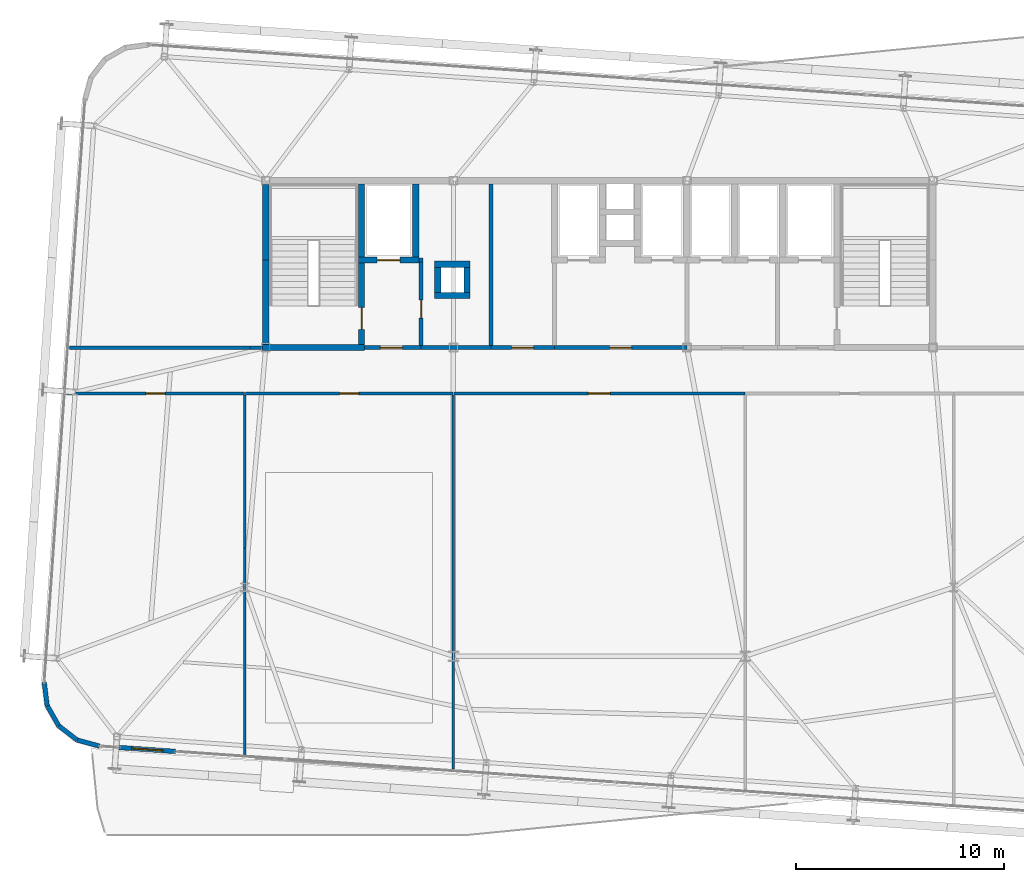
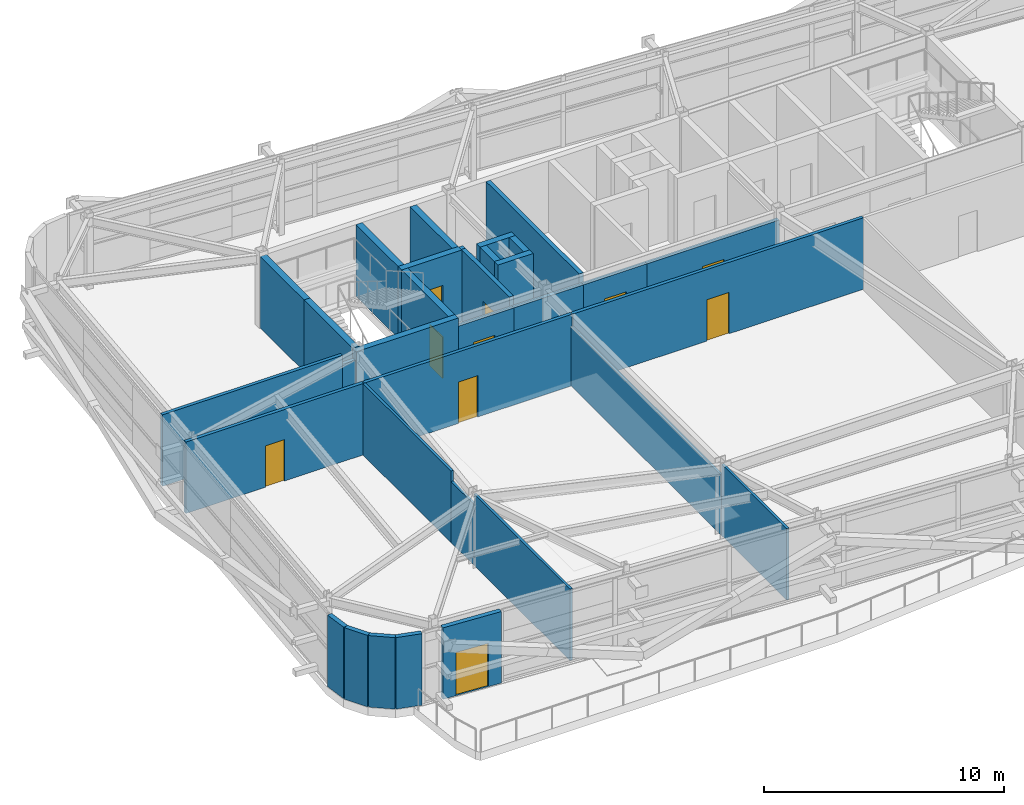
# One storey, part 31 of 36: 33 walls, 10 doors, 10 openings.
"""IFC4 building model written with IfcOpenShell, lengths in metres."""

from ifc_helpers import new_model, si_unit, direction, frame, frame_2d, origin, place, context, subcontext, project, spatial, rectangle, extrude, source, transform, mapped, material, layer, layer_set, type_object, element, fill, save


model = new_model("IFC4")

# Units and contexts
model_context = context("Model", 3, precision=1e-05, world=origin(), true_north=direction((0.0, 1.0)))
body_context = subcontext(model_context, "Body", "Model", "MODEL_VIEW")
ifc_project = project(units=[si_unit("LENGTHUNIT", "METRE"), si_unit("AREAUNIT", "SQUARE_METRE"), si_unit("VOLUMEUNIT", "CUBIC_METRE"), si_unit("PLANEANGLEUNIT", "RADIAN"), si_unit("MASSUNIT", "GRAM", prefix="KILO")], contexts=[model_context])

# Site, building, storey
site_placement = place(None, origin())
site = spatial("IfcSite", under=ifc_project, at=site_placement, CompositionType="ELEMENT")
building_placement = place(site_placement, origin())
building = spatial("IfcBuilding", under=site, at=building_placement, Name="Taldren Reach Tower", CompositionType="ELEMENT")
storey_placement = place(building_placement, frame((0.0, 0.0, 116.550048828125)))
storey = spatial("IfcBuildingStorey", under=building, at=storey_placement, Name="L35", CompositionType="ELEMENT", Elevation=116.550048828125)

# Walls
ifc_material_1 = material(Name="Pale Champagne Anodised Aluminium Cladding", Category="aluminium")
ifc_layer_1 = layer(ifc_material_1, 0.04, Name="Pale Champagne Anodised Aluminium Cladding", Category="aluminium")
ifc_material_2 = material(Name="Mineral Wool Acoustic Insulation", Category="insulation")
ifc_layer_2 = layer(ifc_material_2, 0.06, Name="Mineral Wool Acoustic Insulation", Category="insulation")
ifc_material_3 = material(Name="Steel Gr 350 (C350L0)", Category="steel")
ifc_layer_3 = layer(ifc_material_3, 0.12, Name="Steel Gr 350 (C350L0)", Category="steel")
ifc_layer_set_1 = layer_set([ifc_layer_1, ifc_layer_2, ifc_layer_3], Name="Pale Champagne Aluminium Cladding and Steel Gr 350 Stud Framing")
wall_type_1 = type_object("IfcWallType", Name="EW-CRN-220", PredefinedType="SOLIDWALL", material=ifc_layer_set_1)
shared_shape_1 = source(origin(), body_context, "Body", "SweptSolid", [
    extrude(rectangle(XDim=1.115966796875, YDim=0.219970703125, at=frame_2d((0.55810546875, 0.0))), origin(), (0.0, 0.0, 1.0), 3.6298828125),
])
for number, where, z_axis, x_axis, name in (
    (1, (8.37646484375, 7.93798828125, 0.0), (0.0, 0.0, 1.0), (0.126242535829, -0.991999406324, 0.0), "Rounded-corner pale-metal facade wall L35-SW1"),
    (2, (8.517333984375, 6.8310546875, 0.0), (0.0, 0.0, 1.0), (0.496138938357, -0.868243142124, 0.0), "Rounded-corner pale-metal facade wall L35-SW2"),
    (3, (9.071044921875, 5.862060546875, 0.0), (0.0, 0.0, 1.0), (0.790716874741, -0.612182018684, 0.0), "Rounded-corner pale-metal facade wall L35-SW3"),
    (4, (9.953369140625, 5.178955078125, 0.0), (0.0, 0.0, 1.0), (0.964804199372, -0.262969307856, 0.0), "Rounded-corner pale-metal facade wall L35-SW4"),
):
    element("IfcWall", number, at=place(storey_placement, frame(where, z_axis=z_axis, x_axis=x_axis)), inside=storey, type_object=wall_type_1, Name=name, PredefinedType="SOLIDWALL", context=body_context, shape_type="MappedRepresentation", body=[
        mapped(shared_shape_1, transform((0.0, 0.0, 0.0), scale=1.0)),
    ])

# Wall, opening, door
shared_shape_2 = source(origin(), body_context, "Body", "SweptSolid", [
    extrude(rectangle(XDim=2.7001953125, YDim=0.219970703125, at=frame_2d((1.35009765625, 0.0))), origin(), (0.0, 0.0, 1.0), 3.6298828125),
])
wall_1_placement = place(storey_placement, frame((11.9775390625, 4.819091796875, 0.0), z_axis=(0.0, 0.0, 1.0), x_axis=(0.997567210959, -0.069711258919, 0.0)))
wall_1 = element("IfcWall", 5, at=wall_1_placement, inside=storey, type_object=wall_type_1, Name="Terrace threshold facade wall L35-S1", PredefinedType="SOLIDWALL", context=body_context, shape_type="MappedRepresentation", body=[
    mapped(shared_shape_2, transform((0.0, 0.0, 0.0), scale=1.0)),
])
shared_shape_3 = source(origin(), body_context, "Body", "SweptSolid", [
    extrude(rectangle(XDim=1.5, YDim=2.199951171875, at=frame_2d((0.75, 1.10009765625))), frame((0.0, 0.1201171875, 0.0), z_axis=(0.0, -1.0, 0.0), x_axis=(1.0, 0.0, 0.0)), (0.0, 0.0, 1.0), 0.239990234375),
])
opening_1_placement = place(wall_1_placement, frame((0.60009765625, 0.0, 0.0)))
opening_1 = element("IfcOpeningElement", 6, at=opening_1_placement, cuts=wall_1, Name="Opening ED-150", PredefinedType="OPENING", context=body_context, shape_type="MappedRepresentation", body=[
    mapped(shared_shape_3, transform((0.0, 0.0, 0.0), scale=1.0)),
])
ifc_material_4 = material(Name="Weatherproof Glazed Terrace Door")
door_type_1 = type_object("IfcDoorType", Name="ED-TERR-1500", OperationType="DOUBLE_DOOR_SINGLE_SWING", PredefinedType="DOOR", material=ifc_material_4)
shared_shape_4 = source(origin(), body_context, "Body", "SweptSolid", [
    extrude(rectangle(XDim=1.5, YDim=2.199951171875, at=frame_2d((0.75, 1.10009765625))), frame((0.0, 0.02490234375, 0.0), z_axis=(0.0, -1.0, 0.0), x_axis=(1.0, 0.0, 0.0)), (0.0, 0.0, 1.0), 0.050048828125),
])
door_1_placement = place(opening_1_placement, frame((1.5, 0.0, 0.0), z_axis=(0.0, 0.0, 1.0), x_axis=(-1.0, 0.0, 0.0)))
door_1 = element("IfcDoor", 7, at=door_1_placement, inside=storey, type_object=door_type_1, Name="Setback terrace access door ED-TERR-L35-S1", OperationType="DOUBLE_DOOR_SINGLE_SWING", OverallHeight=2.199951171875, OverallWidth=1.5, PredefinedType="DOOR", context=body_context, shape_type="MappedRepresentation", body=[
    mapped(shared_shape_4, transform((0.0, 0.0, 0.0), scale=1.0)),
])
fill(opening_1, door_1)

# Walls
ifc_material_5 = material(Name="Concrete S65 (65 MPa)", Category="concrete")
ifc_layer_4 = layer(ifc_material_5, 0.300048828125)
ifc_layer_set_2 = layer_set([ifc_layer_4], Name="Concrete S65 (65 MPa)")
wall_type_2 = type_object("IfcWallType", Name="IW-CORE-300", PredefinedType="SHEAR", material=ifc_layer_set_2)
shared_shape_5 = source(origin(), body_context, "Body", "SweptSolid", [
    extrude(rectangle(XDim=4.050048828125, YDim=0.300048828125, at=frame_2d((2.02490234375, 0.0))), origin(), (0.0, 0.0, 1.0), 3.6298828125),
])
wall_2_placement = place(storey_placement, frame((19.0, 24.14990234375, 0.0), z_axis=(0.0, 0.0, 1.0), x_axis=(0.0, 1.0, 0.0)))
element("IfcWall", 8, at=wall_2_placement, inside=storey, type_object=wall_type_2, Name="Rear Core Shear Wall W-CORE-L35-WEST1", PredefinedType="SHEAR", context=body_context, shape_type="MappedRepresentation", body=[
    mapped(shared_shape_5, transform((0.0, 0.0, 0.0), scale=1.0)),
])
shared_shape_6 = source(origin(), body_context, "Body", "SweptSolid", [
    extrude(rectangle(XDim=3.650146484375, YDim=0.300048828125, at=frame_2d((1.8251953125, 0.0))), origin(), (0.0, 0.0, 1.0), 3.6298828125),
])
wall_3_placement = place(storey_placement, frame((19.0, 28.199951171875, 0.0), z_axis=(0.0, 0.0, 1.0), x_axis=(0.0, 1.0, 0.0)))
element("IfcWall", 9, at=wall_3_placement, inside=storey, type_object=wall_type_2, Name="Rear Core Shear Wall W-CORE-L35-WEST2", PredefinedType="SHEAR", context=body_context, shape_type="MappedRepresentation", body=[
    mapped(shared_shape_6, transform((0.0, 0.0, 0.0), scale=1.0)),
])
shared_shape_7 = source(origin(), body_context, "Body", "SweptSolid", [
    extrude(rectangle(XDim=3.5, YDim=0.300048828125, at=frame_2d((1.75, 0.0))), origin(), (0.0, 0.0, 1.0), 3.6298828125),
])
for number, where, z_axis, x_axis, name in (
    (10, (23.60009765625, 28.35009765625, 0.0), (0.0, 0.0, 1.0), (0.0, 1.0, 0.0), "Rear Core Shear Wall W-INT-L35-001"),
    (11, (26.199951171875, 28.35009765625, 0.0), (0.0, 0.0, 1.0), (0.0, 1.0, 0.0), "Rear Core Shear Wall W-INT-L35-005"),
):
    element("IfcWall", number, at=place(storey_placement, frame(where, z_axis=z_axis, x_axis=x_axis)), inside=storey, type_object=wall_type_2, Name=name, PredefinedType="SHEAR", context=body_context, shape_type="MappedRepresentation", body=[
        mapped(shared_shape_7, transform((0.0, 0.0, 0.0), scale=1.0)),
    ])

# Wall, opening, door
shared_shape_8 = source(origin(), body_context, "Body", "SweptSolid", [
    extrude(rectangle(XDim=3.900146484375, YDim=0.300048828125, at=frame_2d((1.9501953125, 0.0))), origin(), (0.0, 0.0, 1.0), 3.6298828125),
])
wall_4_placement = place(storey_placement, frame((23.60009765625, 24.14990234375, 0.0), z_axis=(0.0, 0.0, 1.0), x_axis=(0.0, 1.0, 0.0)))
wall_4 = element("IfcWall", 12, at=wall_4_placement, inside=storey, type_object=wall_type_2, Name="Rear Core Shear Wall W-INT-L35-002", PredefinedType="SHEAR", context=body_context, shape_type="MappedRepresentation", body=[
    mapped(shared_shape_8, transform((0.0, 0.0, 0.0), scale=1.0)),
])
shared_shape_9 = source(origin(), body_context, "Body", "SweptSolid", [
    extrude(rectangle(XDim=1.050048828125, YDim=2.10009765625, at=frame_2d((0.52490234375, 1.050048828125))), frame((0.0, 0.16015625, 0.0), z_axis=(0.0, -1.0, 0.0), x_axis=(1.0, 0.0, 0.0)), (0.0, 0.0, 1.0), 0.320068359375),
])
opening_2_placement = place(wall_4_placement, frame((0.72509765625, 0.0, 0.0)))
opening_2 = element("IfcOpeningElement", 13, at=opening_2_placement, cuts=wall_4, Name="Opening DF-105", PredefinedType="OPENING", context=body_context, shape_type="MappedRepresentation", body=[
    mapped(shared_shape_9, transform((0.0, 0.0, 0.0), scale=1.0)),
])
ifc_material_6 = material(Name="Fire-Rated Care and Stair Exit Door")
door_type_2 = type_object("IfcDoorType", Name="ID-FIRE-105", OperationType="NOTDEFINED", PredefinedType="DOOR", material=ifc_material_6)
shared_shape_10 = source(origin(), body_context, "Body", "SweptSolid", [
    extrude(rectangle(XDim=1.050048828125, YDim=2.10009765625, at=frame_2d((0.52490234375, 1.050048828125))), frame((0.0, 0.02490234375, 0.0), z_axis=(0.0, -1.0, 0.0), x_axis=(1.0, 0.0, 0.0)), (0.0, 0.0, 1.0), 0.050048828125),
])
door_2_placement = place(opening_2_placement, origin())
door_2 = element("IfcDoor", 14, at=door_2_placement, inside=storey, type_object=door_type_2, Name="Fire Exit Stair Door DR-L35-001", OperationType="SINGLE_SWING_LEFT", OverallHeight=2.10009765625, OverallWidth=1.050048828125, PredefinedType="DOOR", context=body_context, shape_type="MappedRepresentation", body=[
    mapped(shared_shape_10, transform((0.0, 0.0, 0.0), scale=1.0)),
])
fill(opening_2, door_2)

# Wall
shared_shape_11 = source(origin(), body_context, "Body", "SweptSolid", [
    extrude(rectangle(XDim=4.89990234375, YDim=0.300048828125, at=frame_2d((2.449951171875, 0.0))), origin(), (0.0, 0.0, 1.0), 3.6298828125),
])
wall_5_placement = place(storey_placement, frame((18.85009765625, 24.0, 0.0), z_axis=(0.0, 0.0, 1.0), x_axis=(1.0, 0.0, 0.0)))
element("IfcWall", 15, at=wall_5_placement, inside=storey, type_object=wall_type_2, Name="Rear Core Shear Wall W-INT-L35-003", PredefinedType="SHEAR", context=body_context, shape_type="MappedRepresentation", body=[
    mapped(shared_shape_11, transform((0.0, 0.0, 0.0), scale=1.0)),
])

# Wall, opening, door
shared_shape_12 = source(origin(), body_context, "Body", "SweptSolid", [
    extrude(rectangle(XDim=2.900146484375, YDim=0.300048828125, at=frame_2d((1.4501953125, 0.0))), origin(), (0.0, 0.0, 1.0), 3.6298828125),
])
wall_6_placement = place(storey_placement, frame((23.449951171875, 28.199951171875, 0.0), z_axis=(0.0, 0.0, 1.0), x_axis=(1.0, 0.0, 0.0)))
wall_6 = element("IfcWall", 16, at=wall_6_placement, inside=storey, type_object=wall_type_2, Name="Rear Core Shear Wall W-INT-L35-004", PredefinedType="SHEAR", context=body_context, shape_type="MappedRepresentation", body=[
    mapped(shared_shape_12, transform((0.0, 0.0, 0.0), scale=1.0)),
])
shared_shape_13 = source(origin(), body_context, "Body", "SweptSolid", [
    extrude(rectangle(XDim=1.10009765625, YDim=2.14990234375, at=frame_2d((0.550048828125, 1.074951171875))), frame((0.0, 0.16015625, 0.0), z_axis=(0.0, -1.0, 0.0), x_axis=(1.0, 0.0, 0.0)), (0.0, 0.0, 1.0), 0.320068359375),
])
opening_3_placement = place(wall_6_placement, frame((0.89990234375, 0.0, 0.0)))
opening_3 = element("IfcOpeningElement", 17, at=opening_3_placement, cuts=wall_6, Name="Opening LD-FL1", PredefinedType="OPENING", context=body_context, shape_type="MappedRepresentation", body=[
    mapped(shared_shape_13, transform((0.0, 0.0, 0.0), scale=1.0)),
])
ifc_material_7 = material(Name="Stainless Steel Gr 316 Emergency Lift Landing Door", Category="steel")
door_type_3 = type_object("IfcDoorType", Name="LD-EMG-110", OperationType="SLIDING_TO_LEFT", PredefinedType="DOOR", material=ifc_material_7)
shared_shape_14 = source(origin(), body_context, "Body", "SweptSolid", [
    extrude(rectangle(XDim=1.10009765625, YDim=2.14990234375, at=frame_2d((0.550048828125, 1.074951171875))), frame((0.0, 0.02490234375, 0.0), z_axis=(0.0, -1.0, 0.0), x_axis=(1.0, 0.0, 0.0)), (0.0, 0.0, 1.0), 0.050048828125),
])
door_3_placement = place(opening_3_placement, origin())
door_3 = element("IfcDoor", 18, at=door_3_placement, inside=storey, type_object=door_type_3, Name="Lift Landing Door LD-FL1-L35", OperationType="SLIDING_TO_LEFT", OverallHeight=2.14990234375, OverallWidth=1.10009765625, PredefinedType="DOOR", context=body_context, shape_type="MappedRepresentation", body=[
    mapped(shared_shape_14, transform((0.0, 0.0, 0.0), scale=1.0)),
])
fill(opening_3, door_3)

ifc_material_8 = material(Name="Concrete S50 (50 MPa)", Category="concrete")
ifc_layer_5 = layer(ifc_material_8, 0.199951171875)
ifc_layer_set_3 = layer_set([ifc_layer_5], Name="Concrete S50 (50 MPa)")
wall_type_3 = type_object("IfcWallType", Name="IW-CORE-200", PredefinedType="SOLIDWALL", material=ifc_layer_set_3)
shared_shape_15 = source(origin(), body_context, "Body", "SweptSolid", [
    extrude(rectangle(XDim=4.0, YDim=0.199951171875, at=frame_2d((2.0, 0.0))), origin(), (0.0, 0.0, 1.0), 3.6298828125),
])
wall_7_placement = place(storey_placement, frame((26.449951171875, 24.10009765625, 0.0), z_axis=(0.0, 0.0, 1.0), x_axis=(0.0, 1.0, 0.0)))
wall_7 = element("IfcWall", 19, at=wall_7_placement, inside=storey, type_object=wall_type_3, Name="Rear Core Shear Wall W-INT-L35-006", PredefinedType="SOLIDWALL", context=body_context, shape_type="MappedRepresentation", body=[
    mapped(shared_shape_15, transform((0.0, 0.0, 0.0), scale=1.0)),
])
shared_shape_16 = source(origin(), body_context, "Body", "SweptSolid", [
    extrude(rectangle(XDim=0.860107421875, YDim=2.10009765625, at=frame_2d((0.43017578125, 1.050048828125))), frame((0.0, 0.10986328125, 0.0), z_axis=(0.0, -1.0, 0.0), x_axis=(1.0, 0.0, 0.0)), (0.0, 0.0, 1.0), 0.219970703125),
])
opening_4_placement = place(wall_7_placement, frame((1.320068359375, 0.0, 0.0)))
opening_4 = element("IfcOpeningElement", 20, at=opening_4_placement, cuts=wall_7, Name="Opening DI-086", PredefinedType="OPENING", context=body_context, shape_type="MappedRepresentation", body=[
    mapped(shared_shape_16, transform((0.0, 0.0, 0.0), scale=1.0)),
])
ifc_material_9 = material(Name="Timber Bathroom Door", Category="wood")
door_type_4 = type_object("IfcDoorType", Name="ID-INT-086", OperationType="NOTDEFINED", PredefinedType="DOOR", material=ifc_material_9)
shared_shape_17 = source(origin(), body_context, "Body", "SweptSolid", [
    extrude(rectangle(XDim=0.860107421875, YDim=2.10009765625, at=frame_2d((0.43017578125, 1.050048828125))), frame((0.0, 0.02490234375, 0.0), z_axis=(0.0, -1.0, 0.0), x_axis=(1.0, 0.0, 0.0)), (0.0, 0.0, 1.0), 0.050048828125),
])
door_4_placement = place(opening_4_placement, frame((0.860107421875, 0.0, 0.0), z_axis=(0.0, 0.0, 1.0), x_axis=(-1.0, 0.0, 0.0)))
door_4 = element("IfcDoor", 21, at=door_4_placement, inside=storey, type_object=door_type_4, Name="Interior Door DR-L35-014", OperationType="SINGLE_SWING_RIGHT", OverallHeight=2.10009765625, OverallWidth=0.860107421875, PredefinedType="DOOR", context=body_context, shape_type="MappedRepresentation", body=[
    mapped(shared_shape_17, transform((0.0, 0.0, 0.0), scale=1.0)),
])
fill(opening_4, door_4)

shared_shape_18 = source(origin(), body_context, "Body", "SweptSolid", [
    extrude(rectangle(XDim=2.699951171875, YDim=0.199951171875, at=frame_2d((1.35009765625, 0.0))), origin(), (0.0, 0.0, 1.0), 3.169921875),
])
wall_8_placement = place(storey_placement, frame((23.75, 24.0, 0.0), z_axis=(0.0, 0.0, 1.0), x_axis=(1.0, 0.0, 0.0)))
wall_8 = element("IfcWall", 22, at=wall_8_placement, inside=storey, type_object=wall_type_3, Name="Rear Core Shear Wall W-INT-L35-007", PredefinedType="SOLIDWALL", context=body_context, shape_type="MappedRepresentation", body=[
    mapped(shared_shape_18, transform((0.0, 0.0, 0.0), scale=1.0)),
])
shared_shape_19 = source(origin(), body_context, "Body", "SweptSolid", [
    extrude(rectangle(XDim=1.050048828125, YDim=2.10009765625, at=frame_2d((0.52490234375, 1.050048828125))), frame((0.0, 0.10986328125, 0.0), z_axis=(0.0, -1.0, 0.0), x_axis=(1.0, 0.0, 0.0)), (0.0, 0.0, 1.0), 0.219970703125),
])
opening_5_placement = place(wall_8_placement, frame((0.75, 0.0, 0.0)))
opening_5 = element("IfcOpeningElement", 23, at=opening_5_placement, cuts=wall_8, Name="Opening DF-105", PredefinedType="OPENING", context=body_context, shape_type="MappedRepresentation", body=[
    mapped(shared_shape_19, transform((0.0, 0.0, 0.0), scale=1.0)),
])
door_5_placement = place(opening_5_placement, origin())
door_5 = element("IfcDoor", 24, at=door_5_placement, inside=storey, type_object=door_type_2, Name="Interior Door DR-L35-002", OperationType="SINGLE_SWING_LEFT", OverallHeight=2.10009765625, OverallWidth=1.050048828125, PredefinedType="DOOR", context=body_context, shape_type="MappedRepresentation", body=[
    mapped(shared_shape_10, transform((0.0, 0.0, 0.0), scale=1.0)),
])
fill(opening_5, door_5)

# Walls
shared_shape_20 = source(origin(), body_context, "Body", "SweptSolid", [
    extrude(rectangle(XDim=1.2001953125, YDim=0.300048828125, at=frame_2d((0.60009765625, 0.0))), origin(), (0.0, 0.0, 1.0), 3.6298828125),
])
for number, where, z_axis, x_axis, name in (
    (25, (28.64990234375, 26.64990234375, 0.0), (0.0, 0.0, 1.0), (0.0, 1.0, 0.0), "Rear Core Shear Wall W-INT-L35-021"),
    (26, (27.25, 27.85009765625, 0.0), (0.0, 0.0, 1.0), (0.0, -1.0, 0.0), "Rear Core Shear Wall W-INT-L35-022"),
):
    element("IfcWall", number, at=place(storey_placement, frame(where, z_axis=z_axis, x_axis=x_axis)), inside=storey, type_object=wall_type_2, Name=name, PredefinedType="SHEAR", context=body_context, shape_type="MappedRepresentation", body=[
        mapped(shared_shape_20, transform((0.0, 0.0, 0.0), scale=1.0)),
    ])
shared_shape_21 = source(origin(), body_context, "Body", "SweptSolid", [
    extrude(rectangle(XDim=1.699951171875, YDim=0.300048828125, at=frame_2d((0.85009765625, 0.0))), origin(), (0.0, 0.0, 1.0), 3.6298828125),
])
for number, where, z_axis, x_axis, name in (
    (27, (28.800048828125, 28.0, 0.0), (0.0, 0.0, 1.0), (-1.0, 0.0, 0.0), "Rear Core Shear Wall W-INT-L35-023"),
    (28, (27.10009765625, 26.5, 0.0), (0.0, 0.0, 1.0), (1.0, 0.0, 0.0), "Rear Core Shear Wall W-INT-L35-024"),
):
    element("IfcWall", number, at=place(storey_placement, frame(where, z_axis=z_axis, x_axis=x_axis)), inside=storey, type_object=wall_type_2, Name=name, PredefinedType="SHEAR", context=body_context, shape_type="MappedRepresentation", body=[
        mapped(shared_shape_21, transform((0.0, 0.0, 0.0), scale=1.0)),
    ])

# Wall, opening, door
shared_shape_22 = source(origin(), body_context, "Body", "SweptSolid", [
    extrude(rectangle(XDim=6.349853515625, YDim=0.199951171875, at=frame_2d((3.1748046875, 0.0))), origin(), (0.0, 0.0, 1.0), 3.169921875),
])
wall_9_placement = place(storey_placement, frame((39.199951171875, 24.0, 0.0), z_axis=(0.0, 0.0, 1.0), x_axis=(-1.0, 0.0, 0.0)))
wall_9 = element("IfcWall", 29, at=wall_9_placement, inside=storey, type_object=wall_type_3, Name="Rear Core Shear Wall W-INT-L35-033", PredefinedType="SOLIDWALL", context=body_context, shape_type="MappedRepresentation", body=[
    mapped(shared_shape_22, transform((0.0, 0.0, 0.0), scale=1.0)),
])
opening_6_placement = place(wall_9_placement, frame((2.64990234375, 0.0, 0.0)))
opening_6 = element("IfcOpeningElement", 30, at=opening_6_placement, cuts=wall_9, Name="Opening DF-105", PredefinedType="OPENING", context=body_context, shape_type="MappedRepresentation", body=[
    mapped(shared_shape_19, transform((0.0, 0.0, 0.0), scale=1.0)),
])
door_6_placement = place(opening_6_placement, frame((1.050048828125, 0.0, 0.0), z_axis=(0.0, 0.0, 1.0), x_axis=(-1.0, 0.0, 0.0)))
door_6 = element("IfcDoor", 31, at=door_6_placement, inside=storey, type_object=door_type_2, Name="Interior Door DR-L35-005", OperationType="SINGLE_SWING_LEFT", OverallHeight=2.10009765625, OverallWidth=1.050048828125, PredefinedType="DOOR", context=body_context, shape_type="MappedRepresentation", body=[
    mapped(shared_shape_10, transform((0.0, 0.0, 0.0), scale=1.0)),
])
fill(opening_6, door_6)

# Walls
shared_shape_23 = source(origin(), body_context, "Body", "SweptSolid", [
    extrude(rectangle(XDim=7.75, YDim=0.199951171875, at=frame_2d((3.875, 0.0))), origin(), (0.0, 0.0, 1.0), 3.6298828125),
])
wall_10_placement = place(storey_placement, frame((29.800048828125, 31.85009765625, 0.0), z_axis=(0.0, 0.0, 1.0), x_axis=(0.0, -1.0, 0.0)))
element("IfcWall", 32, at=wall_10_placement, inside=storey, type_object=wall_type_3, Name="Rear Core Shear Wall W-INT-L35-038", PredefinedType="SOLIDWALL", context=body_context, shape_type="MappedRepresentation", body=[
    mapped(shared_shape_23, transform((0.0, 0.0, 0.0), scale=1.0)),
])
shared_shape_24 = source(origin(), body_context, "Body", "SweptSolid", [
    extrude(rectangle(XDim=3.35009765625, YDim=0.199951171875, at=frame_2d((1.675048828125, 0.0))), origin(), (0.0, 0.0, 1.0), 3.169921875),
])
wall_11_placement = place(storey_placement, frame((29.800048828125, 24.0, 0.0), z_axis=(0.0, 0.0, 1.0), x_axis=(-1.0, 0.0, 0.0)))
element("IfcWall", 33, at=wall_11_placement, inside=storey, type_object=wall_type_3, Name="Rear Core Shear Wall W-INT-L35-039", PredefinedType="SOLIDWALL", context=body_context, shape_type="MappedRepresentation", body=[
    mapped(shared_shape_24, transform((0.0, 0.0, 0.0), scale=1.0)),
])

# Wall, opening, door
shared_shape_25 = source(origin(), body_context, "Body", "SweptSolid", [
    extrude(rectangle(XDim=3.050048828125, YDim=0.199951171875, at=frame_2d((1.52490234375, 0.0))), origin(), (0.0, 0.0, 1.0), 3.169921875),
])
wall_12_placement = place(storey_placement, frame((32.85009765625, 24.0, 0.0), z_axis=(0.0, 0.0, 1.0), x_axis=(-1.0, 0.0, 0.0)))
wall_12 = element("IfcWall", 34, at=wall_12_placement, inside=storey, type_object=wall_type_3, Name="Rear Core Shear Wall W-INT-L35-040", PredefinedType="SOLIDWALL", context=body_context, shape_type="MappedRepresentation", body=[
    mapped(shared_shape_25, transform((0.0, 0.0, 0.0), scale=1.0)),
])
opening_7_placement = place(wall_12_placement, frame((1.0, 0.0, 0.0)))
opening_7 = element("IfcOpeningElement", 35, at=opening_7_placement, cuts=wall_12, Name="Opening DF-105", PredefinedType="OPENING", context=body_context, shape_type="MappedRepresentation", body=[
    mapped(shared_shape_19, transform((0.0, 0.0, 0.0), scale=1.0)),
])
door_7_placement = place(opening_7_placement, frame((1.050048828125, 0.0, 0.0), z_axis=(0.0, 0.0, 1.0), x_axis=(-1.0, 0.0, 0.0)))
door_7 = element("IfcDoor", 36, at=door_7_placement, inside=storey, type_object=door_type_2, Name="Interior Door DR-L35-007", OperationType="SINGLE_SWING_LEFT", OverallHeight=2.10009765625, OverallWidth=1.050048828125, PredefinedType="DOOR", context=body_context, shape_type="MappedRepresentation", body=[
    mapped(shared_shape_10, transform((0.0, 0.0, 0.0), scale=1.0)),
])
fill(opening_7, door_7)

ifc_material_10 = material(Name="Fire-Rated Acoustic Plasterboard Stud Wall", Category="gypsum")
ifc_layer_6 = layer(ifc_material_10, 0.159912109375)
ifc_layer_set_4 = layer_set([ifc_layer_6], Name="Fire-Rated Acoustic Plasterboard Stud Wall")
wall_type_4 = type_object("IfcWallType", Name="IW-FIRE-160", PredefinedType="PARTITIONING", material=ifc_layer_set_4)
shared_shape_26 = source(origin(), body_context, "Body", "SweptSolid", [
    extrude(rectangle(XDim=8.538330078125, YDim=0.159912109375, at=frame_2d((4.26904296875, 0.0))), origin(), (0.0, 0.0, 1.0), 3.6298828125),
])
wall_13_placement = place(storey_placement, frame((17.979736328125, 21.800048828125, 0.0), z_axis=(0.0, 0.0, 1.0), x_axis=(-1.0, 0.0, 0.0)))
wall_13 = element("IfcWall", 37, at=wall_13_placement, inside=storey, type_object=wall_type_4, Name="Interior Partition Wall W-INT-L35-041", PredefinedType="PARTITIONING", context=body_context, shape_type="MappedRepresentation", body=[
    mapped(shared_shape_26, transform((0.0, 0.0, 0.0), scale=1.0)),
])
shared_shape_27 = source(origin(), body_context, "Body", "SweptSolid", [
    extrude(rectangle(XDim=0.919921875, YDim=2.10009765625, at=frame_2d((0.4599609375, 1.050048828125))), frame((0.0, 0.08984375, 0.0), z_axis=(0.0, -1.0, 0.0), x_axis=(1.0, 0.0, 0.0)), (0.0, 0.0, 1.0), 0.179931640625),
])
opening_8_placement = place(wall_13_placement, frame((3.80908203125, 0.0, 0.0)))
opening_8 = element("IfcOpeningElement", 38, at=opening_8_placement, cuts=wall_13, Name="Opening DI-092", PredefinedType="OPENING", context=body_context, shape_type="MappedRepresentation", body=[
    mapped(shared_shape_27, transform((0.0, 0.0, 0.0), scale=1.0)),
])
ifc_material_11 = material(Name="Solid-Core Timber Suite Door", Category="wood")
door_type_5 = type_object("IfcDoorType", Name="ID-INT-092", OperationType="NOTDEFINED", PredefinedType="DOOR", material=ifc_material_11)
shared_shape_28 = source(origin(), body_context, "Body", "SweptSolid", [
    extrude(rectangle(XDim=0.919921875, YDim=2.10009765625, at=frame_2d((0.4599609375, 1.050048828125))), frame((0.0, 0.02490234375, 0.0), z_axis=(0.0, -1.0, 0.0), x_axis=(1.0, 0.0, 0.0)), (0.0, 0.0, 1.0), 0.050048828125),
])
door_8_placement = place(opening_8_placement, origin())
door_8 = element("IfcDoor", 39, at=door_8_placement, inside=storey, type_object=door_type_5, Name="Interior Door DR-L35-008", OperationType="SINGLE_SWING_LEFT", OverallHeight=2.10009765625, OverallWidth=0.919921875, PredefinedType="DOOR", context=body_context, shape_type="MappedRepresentation", body=[
    mapped(shared_shape_28, transform((0.0, 0.0, 0.0), scale=1.0)),
])
fill(opening_8, door_8)

shared_shape_29 = source(origin(), body_context, "Body", "SweptSolid", [
    extrude(rectangle(XDim=9.95947265625, YDim=0.159912109375, at=frame_2d((4.979736328125, 0.0))), origin(), (0.0, 0.0, 1.0), 3.6298828125),
])
wall_14_placement = place(storey_placement, frame((27.979736328125, 21.800048828125, 0.0), z_axis=(0.0, 0.0, 1.0), x_axis=(-1.0, 0.0, 0.0)))
wall_14 = element("IfcWall", 40, at=wall_14_placement, inside=storey, type_object=wall_type_4, Name="Interior Partition Wall W-INT-L35-042", PredefinedType="PARTITIONING", context=body_context, shape_type="MappedRepresentation", body=[
    mapped(shared_shape_29, transform((0.0, 0.0, 0.0), scale=1.0)),
])
opening_9_placement = place(wall_14_placement, frame((4.519775390625, 0.0, 0.0)))
opening_9 = element("IfcOpeningElement", 41, at=opening_9_placement, cuts=wall_14, Name="Opening DI-092", PredefinedType="OPENING", context=body_context, shape_type="MappedRepresentation", body=[
    mapped(shared_shape_27, transform((0.0, 0.0, 0.0), scale=1.0)),
])
door_9_placement = place(opening_9_placement, origin())
door_9 = element("IfcDoor", 42, at=door_9_placement, inside=storey, type_object=door_type_5, Name="Interior Door DR-L35-009", OperationType="SINGLE_SWING_RIGHT", OverallHeight=2.10009765625, OverallWidth=0.919921875, PredefinedType="DOOR", context=body_context, shape_type="MappedRepresentation", body=[
    mapped(shared_shape_28, transform((0.0, 0.0, 0.0), scale=1.0)),
])
fill(opening_9, door_9)

shared_shape_30 = source(origin(), body_context, "Body", "SweptSolid", [
    extrude(rectangle(XDim=13.95947265625, YDim=0.159912109375, at=frame_2d((6.979736328125, 0.0))), origin(), (0.0, 0.0, 1.0), 3.6298828125),
])
wall_15_placement = place(storey_placement, frame((41.979736328125, 21.800048828125, 0.0), z_axis=(0.0, 0.0, 1.0), x_axis=(-1.0, 0.0, 0.0)))
wall_15 = element("IfcWall", 43, at=wall_15_placement, inside=storey, type_object=wall_type_4, Name="Interior Partition Wall W-INT-L35-043", PredefinedType="PARTITIONING", context=body_context, shape_type="MappedRepresentation", body=[
    mapped(shared_shape_30, transform((0.0, 0.0, 0.0), scale=1.0)),
])
shared_shape_31 = source(origin(), body_context, "Body", "SweptSolid", [
    extrude(rectangle(XDim=1.050048828125, YDim=2.10009765625, at=frame_2d((0.52490234375, 1.050048828125))), frame((0.0, 0.08984375, 0.0), z_axis=(0.0, -1.0, 0.0), x_axis=(1.0, 0.0, 0.0)), (0.0, 0.0, 1.0), 0.179931640625),
])
opening_10_placement = place(wall_15_placement, frame((6.45458984375, 0.0, 0.0)))
opening_10 = element("IfcOpeningElement", 44, at=opening_10_placement, cuts=wall_15, Name="Opening DF-105", PredefinedType="OPENING", context=body_context, shape_type="MappedRepresentation", body=[
    mapped(shared_shape_31, transform((0.0, 0.0, 0.0), scale=1.0)),
])
door_10_placement = place(opening_10_placement, origin())
door_10 = element("IfcDoor", 45, at=door_10_placement, inside=storey, type_object=door_type_2, Name="Interior Door DR-L35-010", OperationType="SINGLE_SWING_LEFT", OverallHeight=2.10009765625, OverallWidth=1.050048828125, PredefinedType="DOOR", context=body_context, shape_type="MappedRepresentation", body=[
    mapped(shared_shape_10, transform((0.0, 0.0, 0.0), scale=1.0)),
])
fill(opening_10, door_10)

# Walls
shared_shape_32 = source(origin(), body_context, "Body", "SweptSolid", [
    extrude(rectangle(XDim=8.65234375, YDim=0.159912109375, at=frame_2d((4.326171875, 0.0))), origin(), (0.0, 0.0, 1.0), 3.6298828125),
])
wall_16_placement = place(storey_placement, frame((9.584228515625, 24.0, 0.0), z_axis=(0.0, 0.0, 1.0), x_axis=(1.0, 0.0, 0.0)))
element("IfcWall", 46, at=wall_16_placement, inside=storey, type_object=wall_type_4, Name="Interior Partition Wall W-INT-L35-047", PredefinedType="PARTITIONING", context=body_context, shape_type="MappedRepresentation", body=[
    mapped(shared_shape_32, transform((0.0, 0.0, 0.0), scale=1.0)),
])
shared_shape_33 = source(origin(), body_context, "Body", "SweptSolid", [
    extrude(rectangle(XDim=0.613525390625, YDim=0.159912109375, at=frame_2d((0.306640625, 0.0))), origin(), (0.0, 0.0, 1.0), 3.169921875),
])
wall_17_placement = place(storey_placement, frame((18.236572265625, 24.0, 0.0), z_axis=(0.0, 0.0, 1.0), x_axis=(1.0, 0.0, 0.0)))
element("IfcWall", 47, at=wall_17_placement, inside=storey, type_object=wall_type_4, Name="Interior Partition Wall W-INT-L35-047 part 2", PredefinedType="PARTITIONING", context=body_context, shape_type="MappedRepresentation", body=[
    mapped(shared_shape_33, transform((0.0, 0.0, 0.0), scale=1.0)),
])
ifc_material_12 = material(Name="Insulated Residential Stud Partition", Category="gypsum")
ifc_layer_7 = layer(ifc_material_12, 0.1201171875)
ifc_layer_set_5 = layer_set([ifc_layer_7], Name="Insulated Residential Stud Partition")
wall_type_5 = type_object("IfcWallType", Name="IW-PART-120", PredefinedType="PARTITIONING", material=ifc_layer_set_5)
shared_shape_34 = source(origin(), body_context, "Body", "SweptSolid", [
    extrude(rectangle(XDim=7.32177734375, YDim=0.1201171875, at=frame_2d((3.660888671875, 0.0))), origin(), (0.0, 0.0, 1.0), 3.6298828125),
])
wall_18_placement = place(storey_placement, frame((18.0, 21.718017578125, 0.0), z_axis=(0.0, 0.0, 1.0), x_axis=(0.0, -1.0, 0.0)))
element("IfcWall", 48, at=wall_18_placement, inside=storey, type_object=wall_type_5, Name="Interior Partition Wall W-INT-L35-048", PredefinedType="PARTITIONING", context=body_context, shape_type="MappedRepresentation", body=[
    mapped(shared_shape_34, transform((0.0, 0.0, 0.0), scale=1.0)),
])
shared_shape_35 = source(origin(), body_context, "Body", "SweptSolid", [
    extrude(rectangle(XDim=1.9013671875, YDim=0.1201171875, at=frame_2d((0.95068359375, 0.0))), origin(), (0.0, 0.0, 1.0), 3.096923828125),
])
wall_19_placement = place(storey_placement, frame((18.0, 14.396240234375, 0.0), z_axis=(0.0, 0.0, 1.0), x_axis=(0.0, -1.0, 0.0)))
element("IfcWall", 49, at=wall_19_placement, inside=storey, type_object=wall_type_5, Name="Interior Partition Wall W-INT-L35-048 part 2", PredefinedType="PARTITIONING", context=body_context, shape_type="MappedRepresentation", body=[
    mapped(shared_shape_35, transform((0.0, 0.0, 0.0), scale=1.0)),
])
shared_shape_36 = source(origin(), body_context, "Body", "SweptSolid", [
    extrude(rectangle(XDim=7.9990234375, YDim=0.1201171875, at=frame_2d((3.99951171875, 0.0))), origin(), (0.0, 0.0, 1.0), 3.6298828125),
])
wall_20_placement = place(storey_placement, frame((18.0, 12.494873046875, 0.0), z_axis=(0.0, 0.0, 1.0), x_axis=(0.0, -1.0, 0.0)))
element("IfcWall", 50, at=wall_20_placement, inside=storey, type_object=wall_type_5, Name="Interior Partition Wall W-INT-L35-048 part 3", PredefinedType="PARTITIONING", context=body_context, shape_type="MappedRepresentation", body=[
    mapped(shared_shape_36, transform((0.0, 0.0, 0.0), scale=1.0)),
])
shared_shape_37 = source(origin(), body_context, "Body", "SweptSolid", [
    extrude(rectangle(XDim=12.51806640625, YDim=0.1201171875, at=frame_2d((6.259033203125, 0.0))), origin(), (0.0, 0.0, 1.0), 3.02783203125),
])
wall_21_placement = place(storey_placement, frame((28.0, 21.718017578125, 0.0), z_axis=(0.0, 0.0, 1.0), x_axis=(0.0, -1.0, 0.0)))
element("IfcWall", 51, at=wall_21_placement, inside=storey, type_object=wall_type_5, Name="Interior Partition Wall W-INT-L35-049", PredefinedType="PARTITIONING", context=body_context, shape_type="MappedRepresentation", body=[
    mapped(shared_shape_37, transform((0.0, 0.0, 0.0), scale=1.0)),
])
shared_shape_38 = source(origin(), body_context, "Body", "SweptSolid", [
    extrude(rectangle(XDim=5.4033203125, YDim=0.1201171875, at=frame_2d((2.70166015625, 0.0))), origin(), (0.0, 0.0, 1.0), 3.6298828125),
])
wall_22_placement = place(storey_placement, frame((28.0, 9.199951171875, 0.0), z_axis=(0.0, 0.0, 1.0), x_axis=(0.0, -1.0, 0.0)))
element("IfcWall", 52, at=wall_22_placement, inside=storey, type_object=wall_type_5, Name="Interior Partition Wall W-INT-L35-049 part 2", PredefinedType="PARTITIONING", context=body_context, shape_type="MappedRepresentation", body=[
    mapped(shared_shape_38, transform((0.0, 0.0, 0.0), scale=1.0)),
])
shared_shape_39 = source(origin(), body_context, "Body", "SweptSolid", [
    extrude(rectangle(XDim=0.199951171875, YDim=0.199951171875, at=frame_2d((0.10009765625, 0.0))), origin(), (0.0, 0.0, 1.0), 3.6298828125),
])
wall_23_placement = place(storey_placement, frame((26.35009765625, 28.199951171875, 0.0), z_axis=(0.0, 0.0, 1.0), x_axis=(1.0, 0.0, 0.0)))
element("IfcWall", 53, at=wall_23_placement, inside=storey, type_object=wall_type_3, Name="Rear Core Partition Wall W-INT-L35-052", PredefinedType="SOLIDWALL", context=body_context, shape_type="MappedRepresentation", body=[
    mapped(shared_shape_39, transform((0.0, 0.0, 0.0), scale=1.0)),
])

save(model, "model.ifc")
